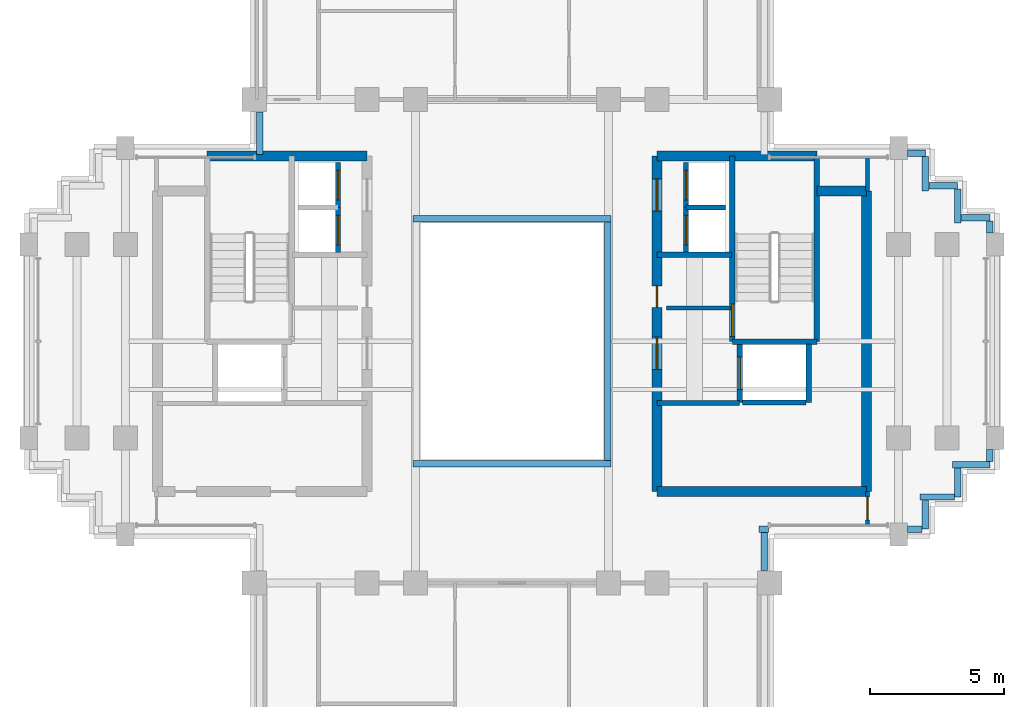
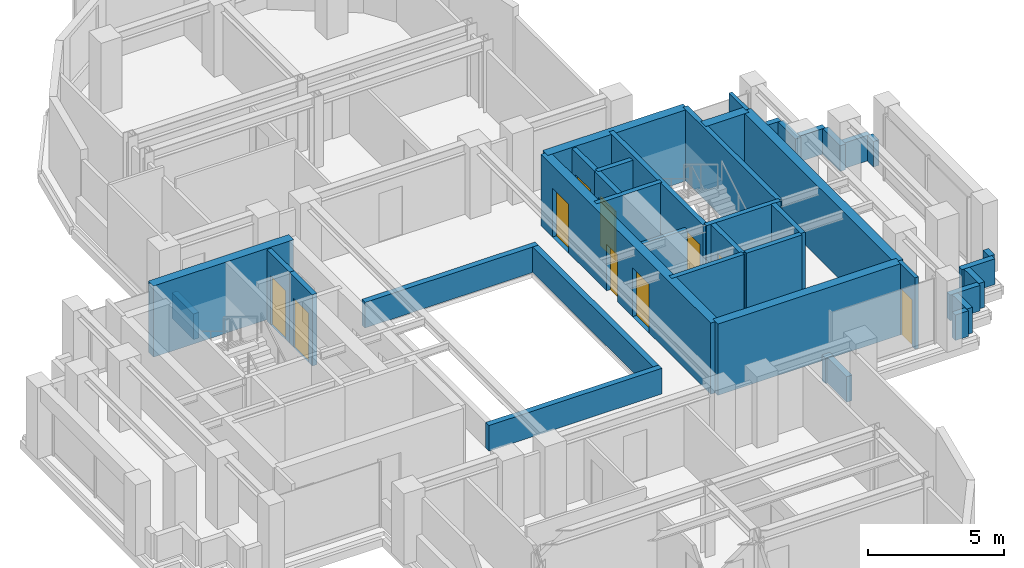
# One storey, part 7 of 11: 40 walls, 10 doors, 10 openings.
"""IFC4 building model written with IfcOpenShell, lengths in metres."""

from ifc_helpers import new_model, si_unit, direction, frame, frame_2d, origin, place, context, subcontext, project, spatial, rectangle, extrude, source, transform, mapped, material, layer, layer_set, type_object, element, fill, save


model = new_model("IFC4")

# Units and contexts
model_context = context("Model", 3, precision=1e-05, world=origin(), true_north=direction((0.0, 1.0)))
body_context = subcontext(model_context, "Body", "Model", "MODEL_VIEW")
ifc_project = project(units=[si_unit("LENGTHUNIT", "METRE"), si_unit("AREAUNIT", "SQUARE_METRE"), si_unit("VOLUMEUNIT", "CUBIC_METRE"), si_unit("PLANEANGLEUNIT", "RADIAN"), si_unit("MASSUNIT", "GRAM", prefix="KILO")], contexts=[model_context])

# Site, building, storey
site_placement = place(None, origin())
site = spatial("IfcSite", under=ifc_project, at=site_placement, CompositionType="ELEMENT")
building_placement = place(site_placement, origin())
building = spatial("IfcBuilding", under=site, at=building_placement, Name="Keilestroom Media Tower", CompositionType="ELEMENT")
storey_placement = place(building_placement, frame((0.0, 0.0, 208.0)))
storey = spatial("IfcBuildingStorey", under=building, at=storey_placement, Name="L57", CompositionType="ELEMENT", Elevation=208.0)

# Walls
ifc_material_1 = material(Name="Gypsum Plasterboard & Steel Stud", Category="steel")
ifc_layer_1 = layer(ifc_material_1, 0.14990234375)
ifc_layer_set_1 = layer_set([ifc_layer_1], Name="Gypsum Plasterboard & Steel Stud")
wall_type_1 = type_object("IfcWallType", Name="Interior-Partition-Wall-150", PredefinedType="PARTITIONING", material=ifc_layer_set_1)
wall_1_placement = place(storey_placement, frame((5.75, 1.239990234375, 0.0), z_axis=(0.0, 0.0, 1.0), x_axis=(1.0, 0.0, 0.0)))
element("IfcWall", 1, at=wall_1_placement, inside=storey, type_object=wall_type_1, Name="L57 Interior Wall WP-L57-FFE-TOP", PredefinedType="PARTITIONING", context=body_context, shape_type="SweptSolid", body=[
    extrude(rectangle(XDim=2.389892578125, YDim=0.14990234375, at=frame_2d((1.19482421875, 0.0))), origin(), (0.0, 0.0, 1.0), 2.300048828125),
])
wall_2_placement = place(storey_placement, frame((13.239990234375, 5.60009765625, 0.0), z_axis=(0.0, 0.0, 1.0), x_axis=(0.0, 1.0, 0.0)))
element("IfcWall", 2, at=wall_2_placement, inside=storey, type_object=wall_type_1, Name="L57 Interior Wall WP-L57-RPAR-ENTN", PredefinedType="PARTITIONING", context=body_context, shape_type="SweptSolid", body=[
    extrude(rectangle(XDim=1.25, YDim=0.14990234375, at=frame_2d((0.625, 0.0))), origin(), (0.0, 0.0, 1.0), 3.199951171875),
])

# Wall, opening, door
wall_3_placement = place(storey_placement, frame((13.239990234375, -6.85009765625, 0.0), z_axis=(0.0, 0.0, 1.0), x_axis=(0.0, 1.0, 0.0)))
wall_3 = element("IfcWall", 3, at=wall_3_placement, inside=storey, type_object=wall_type_1, Name="L57 Interior Wall WP-L57-RPAR-ENTS", PredefinedType="PARTITIONING", context=body_context, shape_type="SweptSolid", body=[
    extrude(rectangle(XDim=1.25, YDim=0.14990234375, at=frame_2d((0.625, 0.0))), origin(), (0.0, 0.0, 1.0), 3.199951171875),
])
opening_1_placement = place(wall_3_placement, frame((0.199951171875, 0.0, 0.0)))
opening_1 = element("IfcOpeningElement", 4, at=opening_1_placement, cuts=wall_3, Name="Opening DI-05", PredefinedType="OPENING", context=body_context, shape_type="SweptSolid", body=[
    extrude(rectangle(XDim=0.85009765625, YDim=2.10009765625, at=frame_2d((0.425048828125, 1.050048828125))), frame((0.0, 0.0849609375, 0.0), z_axis=(0.0, -1.0, 0.0), x_axis=(1.0, 0.0, 0.0)), (0.0, 0.0, 1.0), 0.169921875),
])
ifc_material_2 = material(Name="Moisture-Resistant Oak Leaf", Category="wood")
door_type_1 = type_object("IfcDoorType", Name="Interior-En-Suite-And-Cupboard-Door-DI-05", OperationType="NOTDEFINED", PredefinedType="DOOR", material=ifc_material_2)
shared_shape_1 = source(origin(), body_context, "Body", "SweptSolid", [
    extrude(rectangle(XDim=0.85009765625, YDim=2.10009765625, at=frame_2d((0.425048828125, 1.050048828125))), frame((0.0, 0.02490234375, 0.0), z_axis=(0.0, -1.0, 0.0), x_axis=(1.0, 0.0, 0.0)), (0.0, 0.0, 1.0), 0.050048828125),
])
door_1_placement = place(opening_1_placement, origin())
door_1 = element("IfcDoor", 5, at=door_1_placement, inside=storey, type_object=door_type_1, Name="L57 Interior Door DI-L57-DRPAR-E", OperationType="SINGLE_SWING_RIGHT", OverallHeight=2.10009765625, OverallWidth=0.85009765625, PredefinedType="DOOR", context=body_context, shape_type="MappedRepresentation", body=[
    mapped(shared_shape_1, transform((0.0, 0.0, 0.0), x_axis=(1.0, 0.0, 0.0), y_axis=(0.0, 1.0, 0.0), z_axis=(0.0, 0.0, 1.0), scale=1.0)),
])
fill(opening_1, door_1)

# Walls
ifc_material_3 = material(Name="Concrete C55/67", Category="concrete")
ifc_layer_2 = layer(ifc_material_3, 0.3798828125)
ifc_layer_set_2 = layer_set([ifc_layer_2], Name="Concrete C55/67")
wall_type_2 = type_object("IfcWallType", Name="Reinforced-Concrete-Core-Shear-Wall-380", PredefinedType="SHEAR", material=ifc_layer_set_2)
wall_4_placement = place(storey_placement, frame((-11.35595703125, 6.89990234375, 0.0), z_axis=(0.0, 0.0, 1.0), x_axis=(1.0, 0.0, 0.0)))
element("IfcWall", 6, at=wall_4_placement, inside=storey, type_object=wall_type_2, Name="L57 Core Shear Wall WL-L57-CORE-W-N", PredefinedType="SHEAR", context=body_context, shape_type="SweptSolid", body=[
    extrude(rectangle(XDim=5.9560546875, YDim=0.3798828125, at=frame_2d((2.97802734375, 0.0))), origin(), (0.0, 0.0, 1.0), 3.199951171875),
])
wall_5_placement = place(storey_placement, frame((13.199951171875, -5.60009765625, 0.0), z_axis=(0.0, 0.0, 1.0), x_axis=(0.0, 1.0, 0.0)))
element("IfcWall", 7, at=wall_5_placement, inside=storey, type_object=wall_type_2, Name="L57 Core Shear Wall WL-L57-CORE-E-OUT", PredefinedType="SHEAR", context=body_context, shape_type="SweptSolid", body=[
    extrude(rectangle(XDim=11.2001953125, YDim=0.3798828125, at=frame_2d((5.60009765625, 0.0))), origin(), (0.0, 0.0, 1.0), 3.199951171875),
])

# Wall, openings, doors
wall_6_placement = place(storey_placement, frame((5.39990234375, -5.60009765625, 0.0), z_axis=(0.0, 0.0, 1.0), x_axis=(0.0, 1.0, 0.0)))
wall_6 = element("IfcWall", 8, at=wall_6_placement, inside=storey, type_object=wall_type_2, Name="L57 Core Shear Wall WL-L57-CORE-E-IN", PredefinedType="SHEAR", context=body_context, shape_type="SweptSolid", body=[
    extrude(rectangle(XDim=12.5, YDim=0.3798828125, at=frame_2d((6.25, 0.0))), origin(), (0.0, 0.0, 1.0), 3.199951171875),
])
opening_2_placement = place(wall_6_placement, frame((4.550048828125, 0.0, 0.0)))
opening_2 = element("IfcOpeningElement", 9, at=opening_2_placement, cuts=wall_6, Name="Opening DI-02", PredefinedType="OPENING", context=body_context, shape_type="SweptSolid", body=[
    extrude(rectangle(XDim=1.199951171875, YDim=2.199951171875, at=frame_2d((0.60009765625, 1.10009765625))), frame((0.0, 0.199951171875, 0.0), z_axis=(0.0, -1.0, 0.0), x_axis=(1.0, 0.0, 0.0)), (0.0, 0.0, 1.0), 0.39990234375),
])
opening_3_placement = place(wall_6_placement, frame((10.449951171875, 0.0, 0.0)))
opening_3 = element("IfcOpeningElement", 10, at=opening_3_placement, cuts=wall_6, Name="Opening DI-02", PredefinedType="OPENING", context=body_context, shape_type="SweptSolid", body=[
    extrude(rectangle(XDim=1.199951171875, YDim=2.199951171875, at=frame_2d((0.60009765625, 1.10009765625))), frame((0.0, 0.199951171875, 0.0), z_axis=(0.0, -1.0, 0.0), x_axis=(1.0, 0.0, 0.0)), (0.0, 0.0, 1.0), 0.39990234375),
])
opening_4_placement = place(wall_6_placement, frame((6.860107421875, 0.0, 0.0)))
opening_4 = element("IfcOpeningElement", 11, at=opening_4_placement, cuts=wall_6, Name="Opening DI-06", PredefinedType="OPENING", context=body_context, shape_type="SweptSolid", body=[
    extrude(rectangle(XDim=0.800048828125, YDim=2.10009765625, at=frame_2d((0.39990234375, 1.050048828125))), frame((0.0, 0.199951171875, 0.0), z_axis=(0.0, -1.0, 0.0), x_axis=(1.0, 0.0, 0.0)), (0.0, 0.0, 1.0), 0.39990234375),
])
ifc_material_4 = material(Name="Powder-Coated Steel Fire Leaf", Category="steel")
door_type_2 = type_object("IfcDoorType", Name="Interior-Compartment-Fire-Door-DI-02", OperationType="NOTDEFINED", PredefinedType="DOOR", material=ifc_material_4)
shared_shape_2 = source(origin(), body_context, "Body", "SweptSolid", [
    extrude(rectangle(XDim=1.199951171875, YDim=2.199951171875, at=frame_2d((0.60009765625, 1.10009765625))), frame((0.0, 0.02490234375, 0.0), z_axis=(0.0, -1.0, 0.0), x_axis=(1.0, 0.0, 0.0)), (0.0, 0.0, 1.0), 0.050048828125),
])
door_2_placement = place(opening_2_placement, origin())
door_2 = element("IfcDoor", 12, at=door_2_placement, inside=storey, type_object=door_type_2, Name="L57 E Firefighting Lobby Door", OperationType="SINGLE_SWING_LEFT", OverallHeight=2.199951171875, OverallWidth=1.199951171875, PredefinedType="DOOR", context=body_context, shape_type="MappedRepresentation", body=[
    mapped(shared_shape_2, transform((0.0, 0.0, 0.0), x_axis=(1.0, 0.0, 0.0), y_axis=(0.0, 1.0, 0.0), z_axis=(0.0, 0.0, 1.0), scale=1.0)),
])
fill(opening_2, door_2)
door_3_placement = place(opening_3_placement, origin())
door_3 = element("IfcDoor", 13, at=door_3_placement, inside=storey, type_object=door_type_2, Name="L57 E High-Rise Lift Lobby Door", OperationType="SINGLE_SWING_RIGHT", OverallHeight=2.199951171875, OverallWidth=1.199951171875, PredefinedType="DOOR", context=body_context, shape_type="MappedRepresentation", body=[
    mapped(shared_shape_2, transform((0.0, 0.0, 0.0), x_axis=(1.0, 0.0, 0.0), y_axis=(0.0, 1.0, 0.0), z_axis=(0.0, 0.0, 1.0), scale=1.0)),
])
fill(opening_3, door_3)
ifc_material_5 = material(Name="Powder-Coated Steel Service Leaf", Category="steel")
door_type_3 = type_object("IfcDoorType", Name="Interior-Riser-Access-Door-DI-06", OperationType="NOTDEFINED", PredefinedType="DOOR", material=ifc_material_5)
shared_shape_3 = source(origin(), body_context, "Body", "SweptSolid", [
    extrude(rectangle(XDim=0.800048828125, YDim=2.10009765625, at=frame_2d((0.39990234375, 1.050048828125))), frame((0.0, 0.02490234375, 0.0), z_axis=(0.0, -1.0, 0.0), x_axis=(1.0, 0.0, 0.0)), (0.0, 0.0, 1.0), 0.050048828125),
])
door_4_placement = place(opening_4_placement, origin())
door_4 = element("IfcDoor", 14, at=door_4_placement, inside=storey, type_object=door_type_3, Name="L57 East Core Telecom Door", OperationType="SINGLE_SWING_RIGHT", OverallHeight=2.10009765625, OverallWidth=0.800048828125, PredefinedType="DOOR", context=body_context, shape_type="MappedRepresentation", body=[
    mapped(shared_shape_3, transform((0.0, 0.0, 0.0), x_axis=(1.0, 0.0, 0.0), y_axis=(0.0, 1.0, 0.0), z_axis=(0.0, 0.0, 1.0), scale=1.0)),
])
fill(opening_4, door_4)

# Walls
wall_7_placement = place(storey_placement, frame((5.39990234375, 6.89990234375, 0.0), z_axis=(0.0, 0.0, 1.0), x_axis=(1.0, 0.0, 0.0)))
element("IfcWall", 15, at=wall_7_placement, inside=storey, type_object=wall_type_2, Name="L57 Core Shear Wall WL-L57-CORE-E-N", PredefinedType="SHEAR", context=body_context, shape_type="SweptSolid", body=[
    extrude(rectangle(XDim=5.9560546875, YDim=0.3798828125, at=frame_2d((2.97802734375, 0.0))), origin(), (0.0, 0.0, 1.0), 3.199951171875),
])
wall_8_placement = place(storey_placement, frame((11.35595703125, 5.60009765625, 0.0), z_axis=(0.0, 0.0, 1.0), x_axis=(1.0, 0.0, 0.0)))
element("IfcWall", 16, at=wall_8_placement, inside=storey, type_object=wall_type_2, Name="L57 Core Shear Wall WL-L57-CNE-N", PredefinedType="SHEAR", context=body_context, shape_type="SweptSolid", body=[
    extrude(rectangle(XDim=1.843994140625, YDim=0.3798828125, at=frame_2d((0.921875, 0.0))), origin(), (0.0, 0.0, 1.0), 3.199951171875),
])
wall_9_placement = place(storey_placement, frame((5.39990234375, -5.60009765625, 0.0), z_axis=(0.0, 0.0, 1.0), x_axis=(1.0, 0.0, 0.0)))
element("IfcWall", 17, at=wall_9_placement, inside=storey, type_object=wall_type_2, Name="L57 Core Shear Wall WL-L57-CORE-E-S", PredefinedType="SHEAR", context=body_context, shape_type="SweptSolid", body=[
    extrude(rectangle(XDim=7.800048828125, YDim=0.3798828125, at=frame_2d((3.89990234375, 0.0))), origin(), (0.0, 0.0, 1.0), 3.199951171875),
])
ifc_material_6 = material(Name="Concrete C50/60", Category="concrete")
ifc_layer_3 = layer(ifc_material_6, 0.199951171875)
ifc_layer_set_3 = layer_set([ifc_layer_3], Name="Concrete C50/60")
wall_type_3 = type_object("IfcWallType", Name="Reinforced-Concrete-Shaft-Wall-200", PredefinedType="SOLIDWALL", material=ifc_layer_set_3)
wall_10_placement = place(storey_placement, frame((5.39990234375, 3.219970703125, 0.0), z_axis=(0.0, 0.0, 1.0), x_axis=(1.0, 0.0, 0.0)))
element("IfcWall", 18, at=wall_10_placement, inside=storey, type_object=wall_type_3, Name="L57 Core Shear Wall WL-L57-CORE-E-FFN", PredefinedType="SOLIDWALL", context=body_context, shape_type="SweptSolid", body=[
    extrude(rectangle(XDim=2.780029296875, YDim=0.199951171875, at=frame_2d((1.39013671875, 0.0))), origin(), (0.0, 0.0, 1.0), 3.199951171875),
])
wall_11_placement = place(storey_placement, frame((5.39990234375, -2.300048828125, 0.0), z_axis=(0.0, 0.0, 1.0), x_axis=(1.0, 0.0, 0.0)))
element("IfcWall", 19, at=wall_11_placement, inside=storey, type_object=wall_type_3, Name="L57 Core Shear Wall WL-L57-CORE-E-FFS", PredefinedType="SOLIDWALL", context=body_context, shape_type="SweptSolid", body=[
    extrude(rectangle(XDim=3.080078125, YDim=0.199951171875, at=frame_2d((1.5400390625, 0.0))), origin(), (0.0, 0.0, 1.0), 3.199951171875),
])

# Wall, opening, door
wall_12_placement = place(storey_placement, frame((8.2041015625, -0.01611328125, 0.0), z_axis=(0.0, 0.0, 1.0), x_axis=(0.0, 1.0, 0.0)))
wall_12 = element("IfcWall", 20, at=wall_12_placement, inside=storey, type_object=wall_type_3, Name="L57 Core Shear Wall WL-L57-STW-E-NEAR", PredefinedType="SOLIDWALL", context=body_context, shape_type="SweptSolid", body=[
    extrude(rectangle(XDim=6.916015625, YDim=0.199951171875, at=frame_2d((3.4580078125, 0.0))), origin(), (0.0, 0.0, 1.0), 3.199951171875),
])
opening_5_placement = place(wall_12_placement, frame((0.199951171875, 0.0, 0.0)))
opening_5 = element("IfcOpeningElement", 21, at=opening_5_placement, cuts=wall_12, Name="Opening DI-01S", PredefinedType="OPENING", context=body_context, shape_type="SweptSolid", body=[
    extrude(rectangle(XDim=1.199951171875, YDim=2.199951171875, at=frame_2d((0.60009765625, 1.10009765625))), frame((0.0, 0.10986328125, 0.0), z_axis=(0.0, -1.0, 0.0), x_axis=(1.0, 0.0, 0.0)), (0.0, 0.0, 1.0), 0.219970703125),
])
door_type_4 = type_object("IfcDoorType", Name="Interior-Stair-And-Core-Fire-Door-DI-01", OperationType="NOTDEFINED", PredefinedType="DOOR", material=ifc_material_4)
door_5_placement = place(opening_5_placement, origin())
door_5 = element("IfcDoor", 22, at=door_5_placement, inside=storey, type_object=door_type_4, Name="L57 Escape Stair ST-2 Fire Door", OperationType="SINGLE_SWING_RIGHT", OverallHeight=2.199951171875, OverallWidth=1.199951171875, PredefinedType="DOOR", context=body_context, shape_type="MappedRepresentation", body=[
    mapped(shared_shape_2, transform((0.0, 0.0, 0.0), x_axis=(1.0, 0.0, 0.0), y_axis=(0.0, 1.0, 0.0), z_axis=(0.0, 0.0, 1.0), scale=1.0)),
])
fill(opening_5, door_5)

# Walls
wall_13_placement = place(storey_placement, frame((11.35595703125, -0.01611328125, 0.0), z_axis=(0.0, 0.0, 1.0), x_axis=(0.0, 1.0, 0.0)))
element("IfcWall", 23, at=wall_13_placement, inside=storey, type_object=wall_type_3, Name="L57 Core Shear Wall WL-L57-STW-E-FAR", PredefinedType="SOLIDWALL", context=body_context, shape_type="SweptSolid", body=[
    extrude(rectangle(XDim=6.916015625, YDim=0.199951171875, at=frame_2d((3.4580078125, 0.0))), origin(), (0.0, 0.0, 1.0), 3.199951171875),
])
wall_14_placement = place(storey_placement, frame((8.2041015625, -0.01611328125, 0.0), z_axis=(0.0, 0.0, 1.0), x_axis=(1.0, 0.0, 0.0)))
element("IfcWall", 24, at=wall_14_placement, inside=storey, type_object=wall_type_3, Name="L57 Core Shear Wall WL-L57-STW-E-S", PredefinedType="SOLIDWALL", context=body_context, shape_type="SweptSolid", body=[
    extrude(rectangle(XDim=3.15185546875, YDim=0.199951171875, at=frame_2d((1.575927734375, 0.0))), origin(), (0.0, 0.0, 1.0), 3.199951171875),
])

# Wall, opening, door
wall_15_placement = place(storey_placement, frame((8.47998046875, -2.280029296875, 0.0), z_axis=(0.0, 0.0, 1.0), x_axis=(0.0, 1.0, 0.0)))
wall_15 = element("IfcWall", 25, at=wall_15_placement, inside=storey, type_object=wall_type_3, Name="L57 Core Shear Wall WL-L57-LSH-FFL-2-W", PredefinedType="SOLIDWALL", context=body_context, shape_type="SweptSolid", body=[
    extrude(rectangle(XDim=2.179931640625, YDim=0.199951171875, at=frame_2d((1.08984375, 0.0))), origin(), (0.0, 0.0, 1.0), 3.199951171875),
])
opening_6_placement = place(wall_15_placement, frame((0.489990234375, 0.0, 0.0)))
opening_6 = element("IfcOpeningElement", 26, at=opening_6_placement, cuts=wall_15, Name="Opening LD-02", PredefinedType="OPENING", context=body_context, shape_type="SweptSolid", body=[
    extrude(rectangle(XDim=1.199951171875, YDim=2.199951171875, at=frame_2d((0.60009765625, 1.10009765625))), frame((0.0, 0.10986328125, 0.0), z_axis=(0.0, -1.0, 0.0), x_axis=(1.0, 0.0, 0.0)), (0.0, 0.0, 1.0), 0.219970703125),
])
ifc_material_7 = material(Name="Brushed Stainless Steel Sliding Leaf", Category="steel")
door_type_5 = type_object("IfcDoorType", Name="Lift-Landing-Sliding-Door-LD-02", OperationType="SLIDING_TO_RIGHT", PredefinedType="DOOR", material=ifc_material_7)
door_6_placement = place(opening_6_placement, origin())
door_6 = element("IfcDoor", 27, at=door_6_placement, inside=storey, type_object=door_type_5, Name="L57 Lift FFL-2 Landing Sliding Door", OperationType="SLIDING_TO_RIGHT", OverallHeight=2.199951171875, OverallWidth=1.199951171875, PredefinedType="DOOR", context=body_context, shape_type="MappedRepresentation", body=[
    mapped(shared_shape_2, transform((0.0, 0.0, 0.0), x_axis=(1.0, 0.0, 0.0), y_axis=(0.0, 1.0, 0.0), z_axis=(0.0, 0.0, 1.0), scale=1.0)),
])
fill(opening_6, door_6)

# Walls
wall_16_placement = place(storey_placement, frame((11.050048828125, -2.280029296875, 0.0), z_axis=(0.0, 0.0, 1.0), x_axis=(0.0, 1.0, 0.0)))
element("IfcWall", 28, at=wall_16_placement, inside=storey, type_object=wall_type_3, Name="L57 Core Shear Wall WL-L57-LSH-FFL-2-E", PredefinedType="SOLIDWALL", context=body_context, shape_type="SweptSolid", body=[
    extrude(rectangle(XDim=2.179931640625, YDim=0.199951171875, at=frame_2d((1.08984375, 0.0))), origin(), (0.0, 0.0, 1.0), 3.199951171875),
])
wall_17_placement = place(storey_placement, frame((8.583984375, -2.280029296875, 0.0), z_axis=(0.0, 0.0, 1.0), x_axis=(1.0, 0.0, 0.0)))
element("IfcWall", 29, at=wall_17_placement, inside=storey, type_object=wall_type_3, Name="L57 Core Shear Wall WL-L57-LSH-FFL-2-S", PredefinedType="SOLIDWALL", context=body_context, shape_type="SweptSolid", body=[
    extrude(rectangle(XDim=2.362060546875, YDim=0.199951171875, at=frame_2d((1.18115234375, 0.0))), origin(), (0.0, 0.0, 1.0), 3.199951171875),
])

# Wall, opening, door
wall_18_placement = place(storey_placement, frame((-6.47998046875, 3.300048828125, 0.0), z_axis=(0.0, 0.0, 1.0), x_axis=(0.0, 1.0, 0.0)))
wall_18 = element("IfcWall", 30, at=wall_18_placement, inside=storey, type_object=wall_type_3, Name="L57 Core Shear Wall WL-L57-LSH-PL-H1-E", PredefinedType="SOLIDWALL", context=body_context, shape_type="SweptSolid", body=[
    extrude(rectangle(XDim=1.679931640625, YDim=0.199951171875, at=frame_2d((0.83984375, 0.0))), origin(), (0.0, 0.0, 1.0), 3.199951171875),
])
opening_7_placement = place(wall_18_placement, frame((0.2900390625, 0.0, 0.0)))
opening_7 = element("IfcOpeningElement", 31, at=opening_7_placement, cuts=wall_18, Name="Opening LD-01", PredefinedType="OPENING", context=body_context, shape_type="SweptSolid", body=[
    extrude(rectangle(XDim=1.10009765625, YDim=2.199951171875, at=frame_2d((0.550048828125, 1.10009765625))), frame((0.0, 0.10986328125, 0.0), z_axis=(0.0, -1.0, 0.0), x_axis=(1.0, 0.0, 0.0)), (0.0, 0.0, 1.0), 0.219970703125),
])
door_type_6 = type_object("IfcDoorType", Name="Lift-Landing-Sliding-Door-LD-01", OperationType="SLIDING_TO_LEFT", PredefinedType="DOOR", material=ifc_material_7)
shared_shape_4 = source(origin(), body_context, "Body", "SweptSolid", [
    extrude(rectangle(XDim=1.10009765625, YDim=2.199951171875, at=frame_2d((0.550048828125, 1.10009765625))), frame((0.0, 0.02490234375, 0.0), z_axis=(0.0, -1.0, 0.0), x_axis=(1.0, 0.0, 0.0)), (0.0, 0.0, 1.0), 0.050048828125),
])
door_7_placement = place(opening_7_placement, origin())
door_7 = element("IfcDoor", 32, at=door_7_placement, inside=storey, type_object=door_type_6, Name="L57 Lift PL-H1 Landing Sliding Door", OperationType="SLIDING_TO_LEFT", OverallHeight=2.199951171875, OverallWidth=1.10009765625, PredefinedType="DOOR", context=body_context, shape_type="MappedRepresentation", body=[
    mapped(shared_shape_4, transform((0.0, 0.0, 0.0), x_axis=(1.0, 0.0, 0.0), y_axis=(0.0, 1.0, 0.0), z_axis=(0.0, 0.0, 1.0), scale=1.0)),
])
fill(opening_7, door_7)

wall_19_placement = place(storey_placement, frame((-6.47998046875, 4.97998046875, 0.0), z_axis=(0.0, 0.0, 1.0), x_axis=(0.0, 1.0, 0.0)))
wall_19 = element("IfcWall", 33, at=wall_19_placement, inside=storey, type_object=wall_type_3, Name="L57 Core Shear Wall WL-L57-LSH-PL-H2-E", PredefinedType="SOLIDWALL", context=body_context, shape_type="SweptSolid", body=[
    extrude(rectangle(XDim=1.669921875, YDim=0.199951171875, at=frame_2d((0.8349609375, 0.0))), origin(), (0.0, 0.0, 1.0), 3.199951171875),
])
opening_8_placement = place(wall_19_placement, frame((0.284912109375, 0.0, 0.0)))
opening_8 = element("IfcOpeningElement", 34, at=opening_8_placement, cuts=wall_19, Name="Opening LD-01", PredefinedType="OPENING", context=body_context, shape_type="SweptSolid", body=[
    extrude(rectangle(XDim=1.10009765625, YDim=2.199951171875, at=frame_2d((0.550048828125, 1.10009765625))), frame((0.0, 0.10986328125, 0.0), z_axis=(0.0, -1.0, 0.0), x_axis=(1.0, 0.0, 0.0)), (0.0, 0.0, 1.0), 0.219970703125),
])
door_8_placement = place(opening_8_placement, origin())
door_8 = element("IfcDoor", 35, at=door_8_placement, inside=storey, type_object=door_type_6, Name="L57 Lift PL-H2 Landing Sliding Door", OperationType="SLIDING_TO_LEFT", OverallHeight=2.199951171875, OverallWidth=1.10009765625, PredefinedType="DOOR", context=body_context, shape_type="MappedRepresentation", body=[
    mapped(shared_shape_4, transform((0.0, 0.0, 0.0), x_axis=(1.0, 0.0, 0.0), y_axis=(0.0, 1.0, 0.0), z_axis=(0.0, 0.0, 1.0), scale=1.0)),
])
fill(opening_8, door_8)

wall_20_placement = place(storey_placement, frame((6.47998046875, 3.300048828125, 0.0), z_axis=(0.0, 0.0, 1.0), x_axis=(0.0, 1.0, 0.0)))
wall_20 = element("IfcWall", 36, at=wall_20_placement, inside=storey, type_object=wall_type_3, Name="L57 Core Shear Wall WL-L57-LSH-PL-H3-W", PredefinedType="SOLIDWALL", context=body_context, shape_type="SweptSolid", body=[
    extrude(rectangle(XDim=1.679931640625, YDim=0.199951171875, at=frame_2d((0.83984375, 0.0))), origin(), (0.0, 0.0, 1.0), 3.199951171875),
])
opening_9_placement = place(wall_20_placement, frame((0.2900390625, 0.0, 0.0)))
opening_9 = element("IfcOpeningElement", 37, at=opening_9_placement, cuts=wall_20, Name="Opening LD-01", PredefinedType="OPENING", context=body_context, shape_type="SweptSolid", body=[
    extrude(rectangle(XDim=1.10009765625, YDim=2.199951171875, at=frame_2d((0.550048828125, 1.10009765625))), frame((0.0, 0.10986328125, 0.0), z_axis=(0.0, -1.0, 0.0), x_axis=(1.0, 0.0, 0.0)), (0.0, 0.0, 1.0), 0.219970703125),
])
door_9_placement = place(opening_9_placement, origin())
door_9 = element("IfcDoor", 38, at=door_9_placement, inside=storey, type_object=door_type_6, Name="L57 Lift PL-H3 Landing Sliding Door", OperationType="SLIDING_TO_LEFT", OverallHeight=2.199951171875, OverallWidth=1.10009765625, PredefinedType="DOOR", context=body_context, shape_type="MappedRepresentation", body=[
    mapped(shared_shape_4, transform((0.0, 0.0, 0.0), x_axis=(1.0, 0.0, 0.0), y_axis=(0.0, 1.0, 0.0), z_axis=(0.0, 0.0, 1.0), scale=1.0)),
])
fill(opening_9, door_9)

# Wall
wall_21_placement = place(storey_placement, frame((6.47998046875, 4.97998046875, 0.0), z_axis=(0.0, 0.0, 1.0), x_axis=(1.0, 0.0, 0.0)))
element("IfcWall", 39, at=wall_21_placement, inside=storey, type_object=wall_type_3, Name="L57 Core Shear Wall WL-L57-LSH-PL-H3-N", PredefinedType="SOLIDWALL", context=body_context, shape_type="SweptSolid", body=[
    extrude(rectangle(XDim=1.469970703125, YDim=0.199951171875, at=frame_2d((0.73486328125, 0.0))), origin(), (0.0, 0.0, 1.0), 3.199951171875),
])

# Wall, opening, door
wall_22_placement = place(storey_placement, frame((6.47998046875, 4.97998046875, 0.0), z_axis=(0.0, 0.0, 1.0), x_axis=(0.0, 1.0, 0.0)))
wall_22 = element("IfcWall", 40, at=wall_22_placement, inside=storey, type_object=wall_type_3, Name="L57 Core Shear Wall WL-L57-LSH-PL-H4-W", PredefinedType="SOLIDWALL", context=body_context, shape_type="SweptSolid", body=[
    extrude(rectangle(XDim=1.669921875, YDim=0.199951171875, at=frame_2d((0.8349609375, 0.0))), origin(), (0.0, 0.0, 1.0), 3.199951171875),
])
opening_10_placement = place(wall_22_placement, frame((0.284912109375, 0.0, 0.0)))
opening_10 = element("IfcOpeningElement", 41, at=opening_10_placement, cuts=wall_22, Name="Opening LD-01", PredefinedType="OPENING", context=body_context, shape_type="SweptSolid", body=[
    extrude(rectangle(XDim=1.10009765625, YDim=2.199951171875, at=frame_2d((0.550048828125, 1.10009765625))), frame((0.0, 0.10986328125, 0.0), z_axis=(0.0, -1.0, 0.0), x_axis=(1.0, 0.0, 0.0)), (0.0, 0.0, 1.0), 0.219970703125),
])
door_10_placement = place(opening_10_placement, origin())
door_10 = element("IfcDoor", 42, at=door_10_placement, inside=storey, type_object=door_type_6, Name="L57 Lift PL-H4 Landing Sliding Door", OperationType="SLIDING_TO_LEFT", OverallHeight=2.199951171875, OverallWidth=1.10009765625, PredefinedType="DOOR", context=body_context, shape_type="MappedRepresentation", body=[
    mapped(shared_shape_4, transform((0.0, 0.0, 0.0), x_axis=(1.0, 0.0, 0.0), y_axis=(0.0, 1.0, 0.0), z_axis=(0.0, 0.0, 1.0), scale=1.0)),
])
fill(opening_10, door_10)

# Walls
ifc_material_8 = material(Name="Precast concrete C40/50", Category="concrete")
ifc_layer_4 = layer(ifc_material_8, 0.239990234375)
ifc_layer_set_4 = layer_set([ifc_layer_4], Name="Precast concrete C40/50")
wall_type_4 = type_object("IfcWallType", Name="Roof-And-Terrace-Parapet-Wall-240", PredefinedType="PARAPET", material=ifc_layer_set_4)
wall_23_placement = place(storey_placement, frame((17.800048828125, -4.60009765625, 0.0), z_axis=(0.0, 0.0, 1.0), x_axis=(-1.0, 0.0, 0.0)))
element("IfcWall", 43, at=wall_23_placement, inside=storey, type_object=wall_type_4, Name="L57 Perimeter Edge Parapet Wall 01", PredefinedType="PARAPET", context=body_context, shape_type="SweptSolid", body=[
    extrude(rectangle(XDim=1.400146484375, YDim=0.239990234375, at=frame_2d((0.7001953125, 0.0))), origin(), (0.0, 0.0, 1.0), 1.14990234375),
])
wall_24_placement = place(storey_placement, frame((16.60009765625, -4.722900390625, 0.0), z_axis=(0.0, 0.0, 1.0), x_axis=(0.0, -1.0, 0.0)))
element("IfcWall", 44, at=wall_24_placement, inside=storey, type_object=wall_type_4, Name="L57 Perimeter Edge Parapet Wall 02", PredefinedType="PARAPET", context=body_context, shape_type="SweptSolid", body=[
    extrude(rectangle(XDim=1.0771484375, YDim=0.239990234375, at=frame_2d((0.53857421875, 0.0))), origin(), (0.0, 0.0, 1.0), 1.14990234375),
])
wall_25_placement = place(storey_placement, frame((16.47705078125, -5.800048828125, 0.0), z_axis=(0.0, 0.0, 1.0), x_axis=(-1.0, 0.0, 0.0)))
element("IfcWall", 45, at=wall_25_placement, inside=storey, type_object=wall_type_4, Name="L57 Perimeter Edge Parapet Wall 03", PredefinedType="PARAPET", context=body_context, shape_type="SweptSolid", body=[
    extrude(rectangle(XDim=1.277099609375, YDim=0.239990234375, at=frame_2d((0.638671875, 0.0))), origin(), (0.0, 0.0, 1.0), 1.14990234375),
])
wall_26_placement = place(storey_placement, frame((15.39990234375, -5.923095703125, 0.0), z_axis=(0.0, 0.0, 1.0), x_axis=(0.0, -1.0, 0.0)))
element("IfcWall", 46, at=wall_26_placement, inside=storey, type_object=wall_type_4, Name="L57 Perimeter Edge Parapet Wall 04", PredefinedType="PARAPET", context=body_context, shape_type="SweptSolid", body=[
    extrude(rectangle(XDim=1.076904296875, YDim=0.239990234375, at=frame_2d((0.53857421875, 0.0))), origin(), (0.0, 0.0, 1.0), 1.14990234375),
])
wall_27_placement = place(storey_placement, frame((15.277099609375, -7.0, 0.0), z_axis=(0.0, 0.0, 1.0), x_axis=(-1.0, 0.0, 0.0)))
element("IfcWall", 47, at=wall_27_placement, inside=storey, type_object=wall_type_4, Name="L57 Perimeter Edge Parapet Wall 05", PredefinedType="PARAPET", context=body_context, shape_type="SweptSolid", body=[
    extrude(rectangle(XDim=0.549072265625, YDim=0.239990234375, at=frame_2d((0.2744140625, 0.0))), origin(), (0.0, 0.0, 1.0), 1.14990234375),
])
wall_28_placement = place(storey_placement, frame((9.547119140625, -7.0, 0.0), z_axis=(0.0, 0.0, 1.0), x_axis=(-1.0, 0.0, 0.0)))
element("IfcWall", 48, at=wall_28_placement, inside=storey, type_object=wall_type_4, Name="L57 Perimeter Edge Parapet Wall 06", PredefinedType="PARAPET", context=body_context, shape_type="SweptSolid", body=[
    extrude(rectangle(XDim=0.34716796875, YDim=0.239990234375, at=frame_2d((0.173583984375, 0.0))), origin(), (0.0, 0.0, 1.0), 1.14990234375),
])
wall_29_placement = place(storey_placement, frame((9.39990234375, -7.123046875, 0.0), z_axis=(0.0, 0.0, 1.0), x_axis=(0.0, -1.0, 0.0)))
element("IfcWall", 49, at=wall_29_placement, inside=storey, type_object=wall_type_4, Name="L57 Perimeter Edge Parapet Wall 07", PredefinedType="PARAPET", context=body_context, shape_type="SweptSolid", body=[
    extrude(rectangle(XDim=1.424072265625, YDim=0.239990234375, at=frame_2d((0.7119140625, 0.0))), origin(), (0.0, 0.0, 1.0), 1.14990234375),
])
wall_30_placement = place(storey_placement, frame((-9.39990234375, 6.952880859375, 0.0), z_axis=(0.0, 0.0, 1.0), x_axis=(0.0, 1.0, 0.0)))
element("IfcWall", 50, at=wall_30_placement, inside=storey, type_object=wall_type_4, Name="L57 Perimeter Edge Parapet Wall 24", PredefinedType="PARAPET", context=body_context, shape_type="SweptSolid", body=[
    extrude(rectangle(XDim=1.59423828125, YDim=0.239990234375, at=frame_2d((0.797119140625, 0.0))), origin(), (0.0, 0.0, 1.0), 1.14990234375),
])
wall_31_placement = place(storey_placement, frame((14.72802734375, 7.0, 0.0), z_axis=(0.0, 0.0, 1.0), x_axis=(1.0, 0.0, 0.0)))
element("IfcWall", 51, at=wall_31_placement, inside=storey, type_object=wall_type_4, Name="L57 Perimeter Edge Parapet Wall 29", PredefinedType="PARAPET", context=body_context, shape_type="SweptSolid", body=[
    extrude(rectangle(XDim=0.671875, YDim=0.239990234375, at=frame_2d((0.3359375, 0.0))), origin(), (0.0, 0.0, 1.0), 1.14990234375),
])
wall_32_placement = place(storey_placement, frame((15.39990234375, 6.876953125, 0.0), z_axis=(0.0, 0.0, 1.0), x_axis=(0.0, -1.0, 0.0)))
element("IfcWall", 52, at=wall_32_placement, inside=storey, type_object=wall_type_4, Name="L57 Perimeter Edge Parapet Wall 30", PredefinedType="PARAPET", context=body_context, shape_type="SweptSolid", body=[
    extrude(rectangle(XDim=1.27685546875, YDim=0.239990234375, at=frame_2d((0.638427734375, 0.0))), origin(), (0.0, 0.0, 1.0), 1.14990234375),
])
wall_33_placement = place(storey_placement, frame((15.52294921875, 5.800048828125, 0.0), z_axis=(0.0, 0.0, 1.0), x_axis=(1.0, 0.0, 0.0)))
element("IfcWall", 53, at=wall_33_placement, inside=storey, type_object=wall_type_4, Name="L57 Perimeter Edge Parapet Wall 31", PredefinedType="PARAPET", context=body_context, shape_type="SweptSolid", body=[
    extrude(rectangle(XDim=1.0771484375, YDim=0.239990234375, at=frame_2d((0.53857421875, 0.0))), origin(), (0.0, 0.0, 1.0), 1.14990234375),
])
wall_34_placement = place(storey_placement, frame((16.60009765625, 5.677001953125, 0.0), z_axis=(0.0, 0.0, 1.0), x_axis=(0.0, -1.0, 0.0)))
element("IfcWall", 54, at=wall_34_placement, inside=storey, type_object=wall_type_4, Name="L57 Perimeter Edge Parapet Wall 32", PredefinedType="PARAPET", context=body_context, shape_type="SweptSolid", body=[
    extrude(rectangle(XDim=1.277099609375, YDim=0.239990234375, at=frame_2d((0.638671875, 0.0))), origin(), (0.0, 0.0, 1.0), 1.14990234375),
])
wall_35_placement = place(storey_placement, frame((16.722900390625, 4.60009765625, 0.0), z_axis=(0.0, 0.0, 1.0), x_axis=(1.0, 0.0, 0.0)))
element("IfcWall", 55, at=wall_35_placement, inside=storey, type_object=wall_type_4, Name="L57 Perimeter Edge Parapet Wall 33", PredefinedType="PARAPET", context=body_context, shape_type="SweptSolid", body=[
    extrude(rectangle(XDim=1.0771484375, YDim=0.239990234375, at=frame_2d((0.53857421875, 0.0))), origin(), (0.0, 0.0, 1.0), 1.14990234375),
])
for number, where, z_axis, x_axis, name in (
    (56, (17.800048828125, 4.47705078125, 0.0), (0.0, 0.0, 1.0), (0.0, -1.0, 0.0), "L57 Perimeter Edge Parapet Wall 34"),
    (57, (17.800048828125, -4.028076171875, 0.0), (0.0, 0.0, 1.0), (0.0, -1.0, 0.0), "L57 Perimeter Edge Parapet Wall 35"),
):
    element("IfcWall", number, at=place(storey_placement, frame(where, z_axis=z_axis, x_axis=x_axis)), inside=storey, type_object=wall_type_4, Name=name, PredefinedType="PARAPET", context=body_context, shape_type="SweptSolid", body=[
        extrude(rectangle(XDim=0.448974609375, YDim=0.239990234375, at=frame_2d((0.224609375, 0.0))), origin(), (0.0, 0.0, 1.0), 1.14990234375),
    ])
for number, where, z_axis, x_axis, name in (
    (58, (-3.679931640625, -4.56005859375, 0.0), (0.0, 0.0, 1.0), (1.0, 0.0, 0.0), "L57 Central Atrium Guard Parapet S"),
    (59, (-3.679931640625, 4.56005859375, 0.0), (0.0, 0.0, 1.0), (1.0, 0.0, 0.0), "L57 Central Atrium Guard Parapet N"),
):
    element("IfcWall", number, at=place(storey_placement, frame(where, z_axis=z_axis, x_axis=x_axis)), inside=storey, type_object=wall_type_4, Name=name, PredefinedType="PARAPET", context=body_context, shape_type="SweptSolid", body=[
        extrude(rectangle(XDim=7.35986328125, YDim=0.239990234375, at=frame_2d((3.679931640625, 0.0))), origin(), (0.0, 0.0, 1.0), 1.14990234375),
    ])
wall_36_placement = place(storey_placement, frame((3.56005859375, -4.43505859375, 0.0), z_axis=(0.0, 0.0, 1.0), x_axis=(0.0, 1.0, 0.0)))
element("IfcWall", 60, at=wall_36_placement, inside=storey, type_object=wall_type_4, Name="L57 Central Atrium Guard Parapet E", PredefinedType="PARAPET", context=body_context, shape_type="SweptSolid", body=[
    extrude(rectangle(XDim=8.8701171875, YDim=0.239990234375, at=frame_2d((4.43505859375, 0.0))), origin(), (0.0, 0.0, 1.0), 1.14990234375),
])

save(model, "model.ifc")
